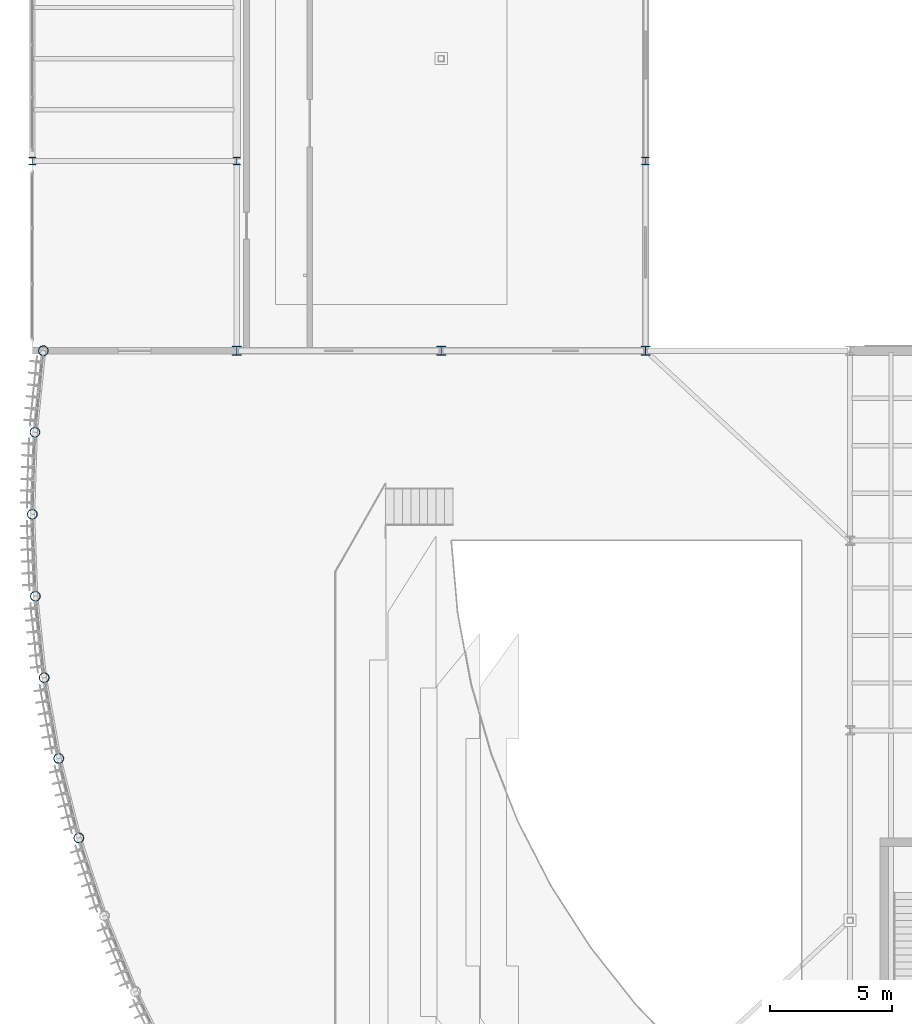
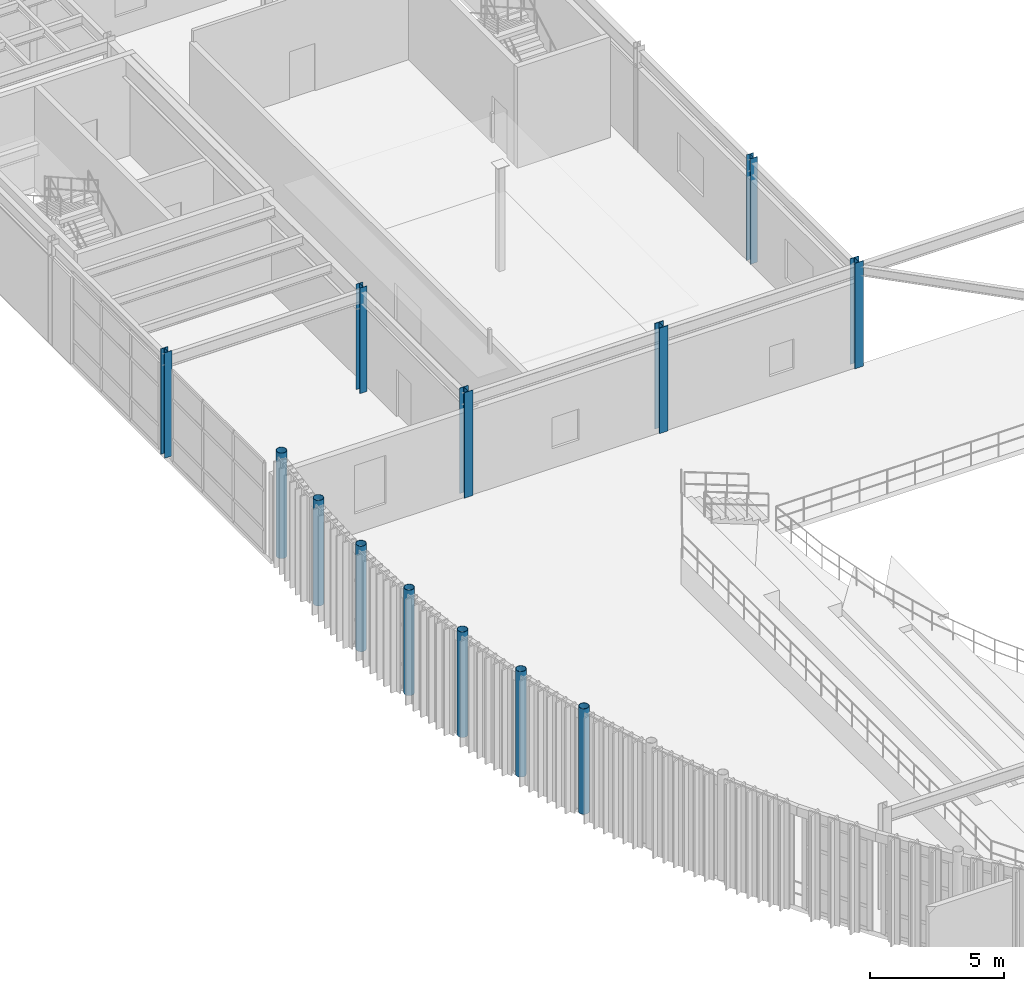
# One storey, part 4 of 116: 13 columns.
"""IFC4 building model written with IfcOpenShell, lengths in metres."""

from ifc_helpers import new_model, si_unit, direction, frame, origin, origin_2d, place, context, subcontext, project, spatial, hollow_circle, i_section, extrude, material, material_profile, profile_set, type_object, element, save


model = new_model("IFC4")

# Units and contexts
model_context = context("Model", 3, precision=1e-05, world=origin(), true_north=direction((0.0, 1.0)))
body_context = subcontext(model_context, "Body", "Model", "MODEL_VIEW")
ifc_project = project(units=[si_unit("LENGTHUNIT", "METRE"), si_unit("AREAUNIT", "SQUARE_METRE"), si_unit("VOLUMEUNIT", "CUBIC_METRE"), si_unit("PLANEANGLEUNIT", "RADIAN"), si_unit("MASSUNIT", "GRAM", prefix="KILO")], contexts=[model_context])

# Site, building, storey
site_placement = place(None, origin())
site = spatial("IfcSite", under=ifc_project, at=site_placement, CompositionType="ELEMENT")
building_placement = place(site_placement, origin())
building = spatial("IfcBuilding", under=site, at=building_placement, Name="Selat Folded Stagehouse", CompositionType="ELEMENT")
storey_placement = place(building_placement, frame((0.0, 0.0, 5.39990234375)))
storey = spatial("IfcBuildingStorey", under=building, at=storey_placement, Name="L01", CompositionType="ELEMENT", Elevation=5.39990234375)

# Columns
ifc_material = material(Name="Steel S355", Category="steel")
ifc_material_profile_1 = material_profile(ifc_material, hollow_circle(Radius=0.203125, WallThickness=0.01611328125, at=origin_2d()), Name="CHS 406.4x16.0")
ifc_profile_set_1 = profile_set([ifc_material_profile_1], Name="Steel S355")
column_type_1 = type_object("IfcColumnType", Name="COL-CHS-406x16", PredefinedType="COLUMN", material=ifc_profile_set_1)
for number, where, z_axis, x_axis, name in (
    (1, (0.455810546875, 54.60009765625, 0.0), (0.0, 0.0, 1.0), (1.0, 0.0, 0.0), "L01 column STK-DRM-00"),
    (2, (0.110107421875, 51.248779296875, 0.0), (0.0, 0.0, 1.0), (1.0, 0.0, 0.0), "L01 column STK-DRM-01"),
    (3, (0.0, 47.881591796875, 0.0), (0.0, 0.0, 1.0), (1.0, 0.0, 0.0), "L01 column STK-DRM-02"),
    (4, (0.126708984375, 44.514892578125, 0.0), (0.0, 0.0, 1.0), (1.0, 0.0, 0.0), "L01 column STK-DRM-03"),
    (5, (0.489013671875, 41.16552734375, 0.0), (0.0, 0.0, 1.0), (1.0, 0.0, 0.0), "L01 column STK-DRM-04"),
    (6, (1.08544921875, 37.849609375, 0.0), (0.0, 0.0, 1.0), (1.0, 0.0, 0.0), "L01 column STK-DRM-05"),
    (7, (1.9130859375, 34.583984375, 0.0), (0.0, 0.0, 1.0), (1.0, 0.0, 0.0), "L01 column STK-DRM-06"),
):
    element("IfcColumn", number, at=place(storey_placement, frame(where, z_axis=z_axis, x_axis=x_axis)), inside=storey, type_object=column_type_1, Name=name, PredefinedType="COLUMN", context=body_context, shape_type="SweptSolid", body=[
        extrude(hollow_circle(Radius=0.203125, WallThickness=0.01611328125, at=origin_2d()), origin(), (0.0, 0.0, 1.0), 4.800048828125),
    ])
ifc_material_profile_2 = material_profile(ifc_material, i_section(OverallWidth=0.305419921875, OverallDepth=0.307861328125, WebThickness=0.010009765625, FlangeThickness=0.015380859375, FilletRadius=0.01513671875, at=origin_2d()), Name="UKC 305x305x97")
ifc_profile_set_2 = profile_set([ifc_material_profile_2], Name="Steel S355")
column_type_2 = type_object("IfcColumnType", Name="COL-UKC-305x305x97", PredefinedType="COLUMN", material=ifc_profile_set_2)
for number, where, z_axis, x_axis, name in (
    (8, (0.0, 62.39990234375, 0.0), (0.0, 0.0, 1.0), (1.0, 0.0, 0.0), "L01 column STK-V4-01"),
    (9, (8.39990234375, 62.39990234375, 0.0), (0.0, 0.0, 1.0), (1.0, 0.0, 0.0), "L01 column STK-V4-05"),
    (10, (25.199951171875, 62.39990234375, 0.0), (0.0, 0.0, 1.0), (1.0, 0.0, 0.0), "L01 column STK-V4-10"),
):
    element("IfcColumn", number, at=place(storey_placement, frame(where, z_axis=z_axis, x_axis=x_axis)), inside=storey, type_object=column_type_2, Name=name, PredefinedType="COLUMN", context=body_context, shape_type="SweptSolid", body=[
        extrude(i_section(OverallWidth=0.305419921875, OverallDepth=0.307861328125, WebThickness=0.010009765625, FlangeThickness=0.015380859375, FilletRadius=0.01513671875, at=origin_2d()), origin(), (0.0, 0.0, 1.0), 4.800048828125),
    ])
ifc_material_profile_3 = material_profile(ifc_material, i_section(OverallWidth=0.37255859375, OverallDepth=0.3681640625, WebThickness=0.014404296875, FlangeThickness=0.023681640625, FilletRadius=0.01513671875, at=origin_2d()), Name="UKC 356x368x177")
ifc_profile_set_3 = profile_set([ifc_material_profile_3], Name="Steel S355")
column_type_3 = type_object("IfcColumnType", Name="COL-UKC-356x368x177", PredefinedType="COLUMN", material=ifc_profile_set_3)
for number, where, z_axis, x_axis, name in (
    (11, (8.39990234375, 54.60009765625, 0.0), (0.0, 0.0, 1.0), (1.0, 0.0, 0.0), "L01 column STK-V2-03"),
    (12, (16.800048828125, 54.60009765625, 0.0), (0.0, 0.0, 1.0), (1.0, 0.0, 0.0), "L01 column STK-V2-04"),
    (13, (25.199951171875, 54.60009765625, 0.0), (0.0, 0.0, 1.0), (1.0, 0.0, 0.0), "L01 column STK-V2-05"),
):
    element("IfcColumn", number, at=place(storey_placement, frame(where, z_axis=z_axis, x_axis=x_axis)), inside=storey, type_object=column_type_3, Name=name, PredefinedType="COLUMN", context=body_context, shape_type="SweptSolid", body=[
        extrude(i_section(OverallWidth=0.37255859375, OverallDepth=0.3681640625, WebThickness=0.014404296875, FlangeThickness=0.023681640625, FilletRadius=0.01513671875, at=origin_2d()), origin(), (0.0, 0.0, 1.0), 4.800048828125),
    ])

save(model, "model.ifc")
